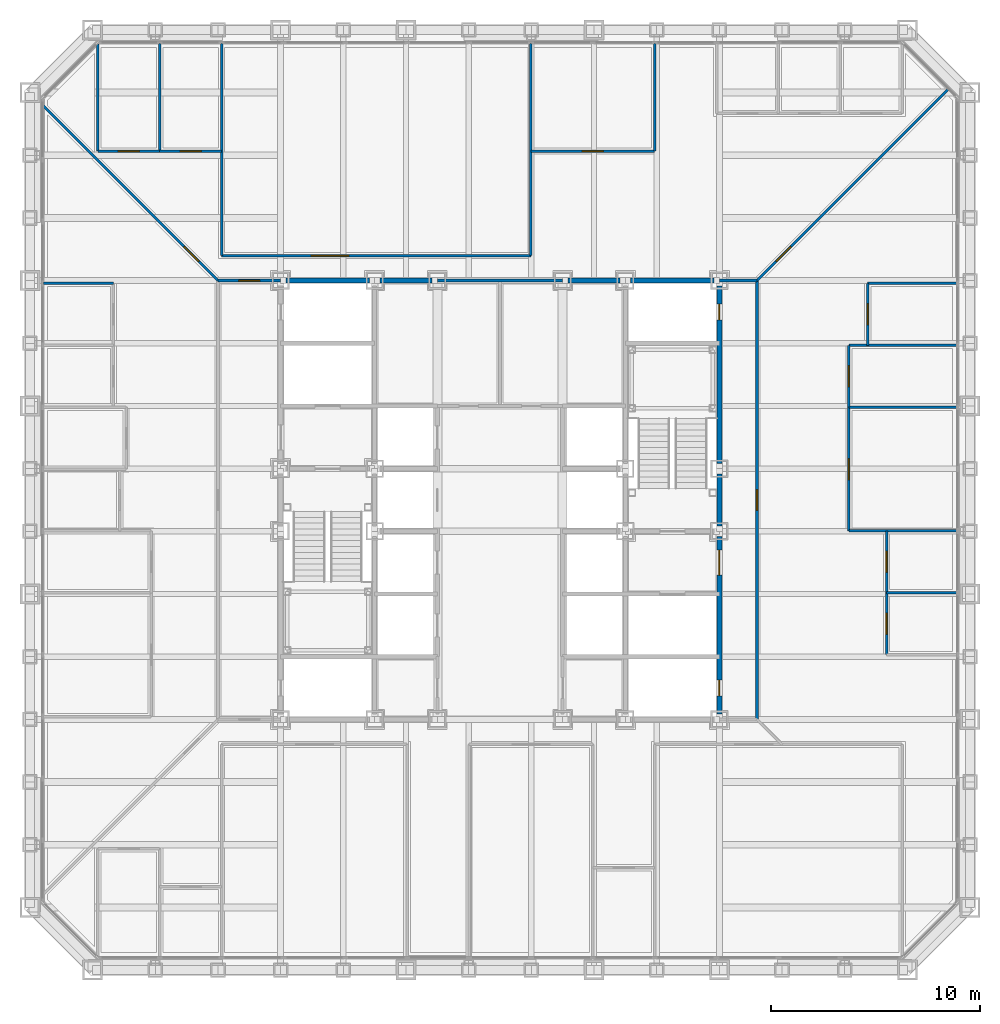
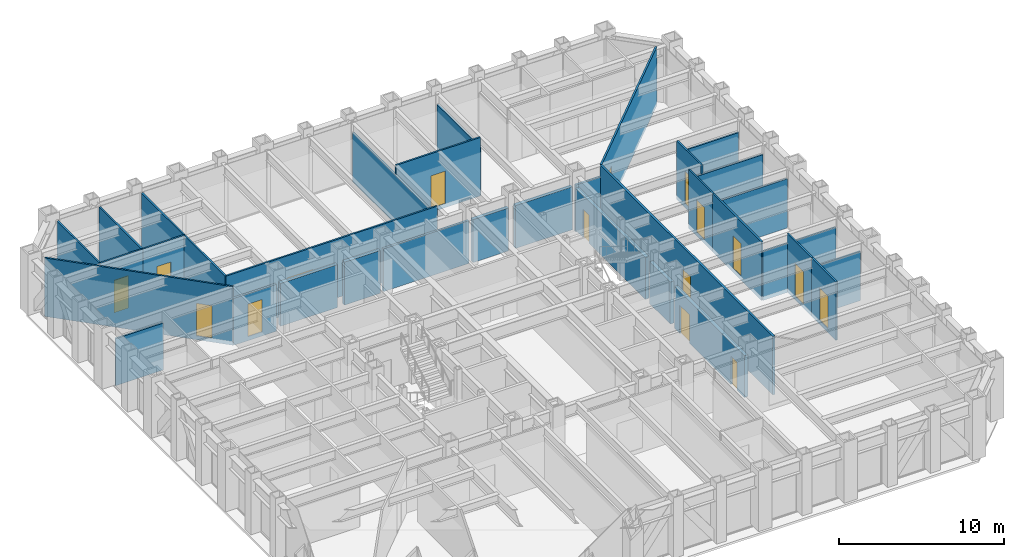
# One storey, part 10 of 17: 33 walls, 16 doors, 16 openings.
"""IFC4 building model written with IfcOpenShell, lengths in metres."""

import ifcopenshell
import ifcopenshell.guid

model = None  # the IFC model being written
_history = None  # IfcOwnerHistory: only IFC2X3 demands one
_inside = {}  # id of a spatial element -> (the spatial element, [elements in it])
_under = {}  # id of a project, library or spatial element -> (it, [spatial elements below it])
_declared = {}  # id of a project -> (the project, [libraries it declares])
_typed = {}  # id of a type object -> (the type object, [elements of that type])
_made_of = {}  # id of a material, layer set ... -> (it, [elements and type objects made of it])


def new_model(schema):
    """Start an empty IFC model of exactly this schema.

    Asked for "IFC4X3", IfcOpenShell would pick the latest addendum, in which some entities
    have other attributes; the version numbers below select the first issue.
    IFC2X3 requires an IfcOwnerHistory on every rooted entity: one is made here for all.
    """
    global model, _history
    if schema == "IFC4X3":
        model = ifcopenshell.file(schema_version=(4, 3, 0, 0))
    else:
        model = ifcopenshell.file(schema=schema)
    _inside.clear()
    _under.clear()
    _declared.clear()
    _typed.clear()
    _made_of.clear()
    _history = None
    if model.schema == "IFC2X3":
        org = make("IfcOrganization", Name="unknown")
        user = make(
            "IfcPersonAndOrganization",
            ThePerson=make("IfcPerson", FamilyName="unknown"),
            TheOrganization=org,
        )
        app = make(
            "IfcApplication",
            ApplicationDeveloper=org,
            Version="unknown",
            ApplicationFullName="unknown",
            ApplicationIdentifier="unknown",
        )
        _history = make(
            "IfcOwnerHistory",
            OwningUser=user,
            OwningApplication=app,
            ChangeAction="ADDED",
            CreationDate=0,
        )
    return model


def make(cls, **values):
    """One entity of the class cls with the attributes given. An attribute that is None is left unset."""
    return model.create_entity(
        cls, **{name: value for name, value in values.items() if value is not None}
    )


def rooted(cls, **values):
    """An entity with a GlobalId (a new one), such as an element, a storey or a relation."""
    return make(cls, GlobalId=ifcopenshell.guid.new(), OwnerHistory=_history, **values)


def si_unit(unit_type, name, prefix=None):
    """IfcSIUnit, for example si_unit("LENGTHUNIT", "METRE", prefix="MILLI")."""
    return make("IfcSIUnit", UnitType=unit_type, Prefix=prefix, Name=name)


def assignment(units):
    """IfcUnitAssignment: the units of a project."""
    return None if units is None else make("IfcUnitAssignment", Units=units)


def point(xyz):
    """IfcCartesianPoint."""
    return None if xyz is None else make("IfcCartesianPoint", Coordinates=xyz)


def direction(xyz):
    """IfcDirection."""
    return None if xyz is None else make("IfcDirection", DirectionRatios=xyz)


def frame(location, z_axis=None, x_axis=None):
    """IfcAxis2Placement3D, a coordinate frame: its origin and axes. An axis left out is left unset."""
    return make(
        "IfcAxis2Placement3D",
        Location=point(location),
        Axis=direction(z_axis),
        RefDirection=direction(x_axis),
    )


def frame_2d(location, x_axis=None):
    """IfcAxis2Placement2D, a coordinate frame in the plane: its origin and x axis."""
    return make(
        "IfcAxis2Placement2D", Location=point(location), RefDirection=direction(x_axis)
    )


def origin():
    """The frame at (0, 0, 0) with its axes left unset."""
    return frame((0.0, 0.0, 0.0))


def place(relative_to, where):
    """IfcLocalPlacement: puts the frame where relative to a parent placement (None: the world)."""
    return make(
        "IfcLocalPlacement", PlacementRelTo=relative_to, RelativePlacement=where
    )


def context(
    kind, dimensions, precision=None, world=None, true_north=None, identifier=None
):
    """IfcGeometricRepresentationContext, for example the 3D "Model" context."""
    return make(
        "IfcGeometricRepresentationContext",
        ContextIdentifier=identifier,
        ContextType=kind,
        CoordinateSpaceDimension=dimensions,
        Precision=precision,
        WorldCoordinateSystem=world,
        TrueNorth=true_north,
    )


def subcontext(parent, identifier, kind, view, scale=None):
    """IfcGeometricRepresentationSubContext, for example "Body" below "Model"."""
    return make(
        "IfcGeometricRepresentationSubContext",
        ContextIdentifier=identifier,
        ContextType=kind,
        ParentContext=parent,
        TargetScale=scale,
        TargetView=view,
    )


def project(units=None, contexts=None):
    """IfcProject with its units and contexts."""
    return rooted(
        "IfcProject",
        Name="project",
        RepresentationContexts=contexts,
        UnitsInContext=assignment(units),
    )


def spatial(cls, under=None, at=None, **own):
    """A site, building, storey or space (cls), placed at a placement, below another one or the project."""
    s = rooted(cls, ObjectPlacement=at, **own)
    if under is not None:
        _under.setdefault(under.id(), (under, []))[1].append(s)
    return s


def profile(cls, at=None, kind="AREA", **sizes):
    """A parametric profile (cls). Its sizes go by their IFC names, for example OverallWidth=200.0."""
    return make(cls, ProfileType=kind, Position=at, **sizes)


def rectangle(**sizes):
    """IfcRectangleProfileDef."""
    return profile("IfcRectangleProfileDef", **sizes)


def extrude(swept, where, along, depth):
    """IfcExtrudedAreaSolid: the profile swept, set in the frame where, extruded along a direction by depth."""
    return make(
        "IfcExtrudedAreaSolid",
        SweptArea=swept,
        Position=where,
        ExtrudedDirection=direction(along),
        Depth=depth,
    )


def shape(context_of_items, identifier, shape_type, items):
    """IfcShapeRepresentation: the items that make up one representation, for example the "Body"."""
    return make(
        "IfcShapeRepresentation",
        ContextOfItems=context_of_items,
        RepresentationIdentifier=identifier,
        RepresentationType=shape_type,
        Items=items,
    )


def material(Name=None, Category=None):
    """IfcMaterial."""
    return make("IfcMaterial", Name=Name, Category=Category)


def layer(
    of_material, thickness, ventilated=None, Name=None, Category=None, Priority=None
):
    """IfcMaterialLayer: one layer of a wall or slab, of a material (None: an air gap)."""
    return make(
        "IfcMaterialLayer",
        Material=of_material,
        LayerThickness=thickness,
        IsVentilated=ventilated,
        Name=Name,
        Category=Category,
        Priority=Priority,
    )


def layer_set(layers, Name=None):
    """IfcMaterialLayerSet."""
    return make("IfcMaterialLayerSet", MaterialLayers=layers, LayerSetName=Name)


def made_of(thing, what):
    """Note that an element or type object is made of a material, layer set ...; save() writes the relation."""
    if what is not None:
        _made_of.setdefault(what.id(), (what, []))[1].append(thing)
    return thing


def type_object(cls, material=None, **own):
    """A type object (cls), such as IfcWallType, which elements share."""
    return made_of(rooted(cls, **own), material)


def element(
    cls,
    number,
    at=None,
    inside=None,
    cuts=None,
    type_object=None,
    material=None,
    context=None,
    identifier="Body",
    shape_type=None,
    held_by="IfcProductDefinitionShape",
    body=None,
    shapes=None,
    **own,
):
    """One element of the class cls, such as IfcWall. Its Tag is "e" and its number.

    at: its placement. inside: the storey or other place that contains it. cuts: it is an
    opening in that element (IfcRelVoidsElement). A single representation is given by context,
    identifier, shape_type and body (its items); several are given by shapes. held_by: the class
    of the entity that holds the representations. save() writes the other relations.
    """
    e = rooted(cls, Tag="e%d" % number, ObjectPlacement=at, **own)
    if body is not None:
        shapes = [shape(context, identifier, shape_type, body)]
    if shapes is not None:
        e.Representation = make(held_by, Representations=shapes)
    if inside is not None:
        _inside.setdefault(inside.id(), (inside, []))[1].append(e)
    if cuts is not None:
        rooted(
            "IfcRelVoidsElement", RelatingBuildingElement=cuts, RelatedOpeningElement=e
        )
    if type_object is not None:
        _typed.setdefault(type_object.id(), (type_object, []))[1].append(e)
    return made_of(e, material)


def fill(opening, filler):
    """IfcRelFillsElement: the door or window that sits in an opening."""
    return rooted(
        "IfcRelFillsElement",
        RelatingOpeningElement=opening,
        RelatedBuildingElement=filler,
    )


def aggregate(whole, parts):
    """IfcRelAggregates: a whole, such as a stair, and the parts it consists of."""
    return rooted("IfcRelAggregates", RelatingObject=whole, RelatedObjects=parts)


def save(model, path):
    """Write the relations noted so far, then the file.

    IfcRelAggregates (storeys below a building ...), IfcRelContainedInSpatialStructure (elements
    in a storey), IfcRelDefinesByType, IfcRelAssociatesMaterial and IfcRelDeclares: one each for
    every whole, place, type object, material and project.
    """
    for whole, parts in _under.values():
        aggregate(whole, parts)
    for where, things in _inside.values():
        rooted(
            "IfcRelContainedInSpatialStructure",
            RelatedElements=things,
            RelatingStructure=where,
        )
    for kind, things in _typed.values():
        rooted("IfcRelDefinesByType", RelatedObjects=things, RelatingType=kind)
    for what, things in _made_of.values():
        rooted("IfcRelAssociatesMaterial", RelatedObjects=things, RelatingMaterial=what)
    for by, libraries in _declared.values():
        rooted("IfcRelDeclares", RelatingContext=by, RelatedDefinitions=libraries)
    model.write(path)


model = new_model("IFC4")

# Units and contexts
model_context = context("Model", 3, precision=1e-05, world=origin(), true_north=direction((0.0, 1.0)))
body_context = subcontext(model_context, "Body", "Model", "MODEL_VIEW")
ifc_project = project(units=[si_unit("LENGTHUNIT", "METRE"), si_unit("AREAUNIT", "SQUARE_METRE"), si_unit("VOLUMEUNIT", "CUBIC_METRE"), si_unit("PLANEANGLEUNIT", "RADIAN"), si_unit("MASSUNIT", "GRAM", prefix="KILO")], contexts=[model_context])

# Site, building, storey
site_placement = place(None, origin())
site = spatial("IfcSite", under=ifc_project, at=site_placement, CompositionType="ELEMENT")
building_placement = place(site_placement, origin())
building = spatial("IfcBuilding", under=site, at=building_placement, Name="Chuquiago Exchange Tower", CompositionType="ELEMENT")
storey_placement = place(building_placement, frame((0.0, 0.0, 69.300048828125)))
storey = spatial("IfcBuildingStorey", under=building, at=storey_placement, Name="L14", CompositionType="ELEMENT", Elevation=69.300048828125)

# Walls
ifc_material_1 = material(Name="Concrete masonry, fully grouted", Category="masonry")
ifc_layer_1 = layer(ifc_material_1, 0.25)
ifc_layer_set_1 = layer_set([ifc_layer_1], Name="W1 core wall 250")
wall_type_1 = type_object("IfcWallType", Name="W1 core wall 250", PredefinedType="SOLIDWALL", material=ifc_layer_set_1)
wall_1_placement = place(storey_placement, frame((12.25, 33.0, 0.0), z_axis=(0.0, 0.0, 1.0), x_axis=(1.0, 0.0, 0.0)))
element("IfcWall", 1, at=wall_1_placement, inside=storey, type_object=wall_type_1, Name="CW-L14-11-0", PredefinedType="SOLIDWALL", context=body_context, shape_type="SweptSolid", body=[
    extrude(rectangle(XDim=4.0, YDim=0.25, at=frame_2d((2.0, 0.0))), origin(), (0.0, 0.0, 1.0), 3.181396484375),
])
for number, where, z_axis, x_axis, name in (
    (2, (16.75, 33.0, 0.0), (0.0, 0.0, 1.0), (1.0, 0.0, 0.0), "CW-L14-11-1"),
    (3, (25.75, 33.0, 0.0), (0.0, 0.0, 1.0), (1.0, 0.0, 0.0), "CW-L14-12-0"),
):
    element("IfcWall", number, at=place(storey_placement, frame(where, z_axis=z_axis, x_axis=x_axis)), inside=storey, type_object=wall_type_1, Name=name, PredefinedType="SOLIDWALL", context=body_context, shape_type="SweptSolid", body=[
        extrude(rectangle(XDim=2.5, YDim=0.25, at=frame_2d((1.25, 0.0))), origin(), (0.0, 0.0, 1.0), 3.181396484375),
    ])
wall_2_placement = place(storey_placement, frame((28.75, 33.0, 0.0), z_axis=(0.0, 0.0, 1.0), x_axis=(1.0, 0.0, 0.0)))
element("IfcWall", 4, at=wall_2_placement, inside=storey, type_object=wall_type_1, Name="CW-L14-12-1", PredefinedType="SOLIDWALL", context=body_context, shape_type="SweptSolid", body=[
    extrude(rectangle(XDim=4.0, YDim=0.25, at=frame_2d((2.0, 0.0))), origin(), (0.0, 0.0, 1.0), 3.181396484375),
])

# Wall, openings, doors
wall_3_placement = place(storey_placement, frame((33.0, 12.25, 0.0), z_axis=(0.0, 0.0, 1.0), x_axis=(0.0, 1.0, 0.0)))
wall_3 = element("IfcWall", 5, at=wall_3_placement, inside=storey, type_object=wall_type_1, Name="CW-L14-25-0", PredefinedType="SOLIDWALL", context=body_context, shape_type="SweptSolid", body=[
    extrude(rectangle(XDim=8.5, YDim=0.25, at=frame_2d((4.25, 0.0))), origin(), (0.0, 0.0, 1.0), 3.11279296875),
])
opening_1_placement = place(wall_3_placement, frame((6.64990234375, 0.0, 0.0)))
opening_1 = element("IfcOpeningElement", 6, at=opening_1_placement, cuts=wall_3, Name="Opening L14-004", PredefinedType="OPENING", context=body_context, shape_type="SweptSolid", body=[
    extrude(rectangle(XDim=1.199951171875, YDim=2.10009765625, at=frame_2d((0.60009765625, 1.050048828125))), frame((0.0, 0.135009765625, 0.0), z_axis=(0.0, -1.0, 0.0), x_axis=(1.0, 0.0, 0.0)), (0.0, 0.0, 1.0), 0.27001953125),
])
opening_2_placement = place(wall_3_placement, frame((0.875, 0.0, 0.0)))
opening_2 = element("IfcOpeningElement", 7, at=opening_2_placement, cuts=wall_3, Name="Opening L14-009", PredefinedType="OPENING", context=body_context, shape_type="SweptSolid", body=[
    extrude(rectangle(XDim=0.75, YDim=2.10009765625, at=frame_2d((0.375, 1.050048828125))), frame((0.0, 0.135009765625, 0.0), z_axis=(0.0, -1.0, 0.0), x_axis=(1.0, 0.0, 0.0)), (0.0, 0.0, 1.0), 0.27001953125),
])
ifc_material_2 = material(Name="Steel door, painted", Category="steel")
door_type_1 = type_object("IfcDoorType", Name="D5 firefighting lobby door 1200x2100", OperationType="SINGLE_SWING_LEFT", PredefinedType="DOOR", material=ifc_material_2)
door_1_placement = place(opening_1_placement, origin())
door_1 = element("IfcDoor", 8, at=door_1_placement, inside=storey, type_object=door_type_1, Name="Firefighting lobby 2 door", OperationType="SINGLE_SWING_RIGHT", OverallHeight=2.10009765625, OverallWidth=1.199951171875, PredefinedType="DOOR", context=body_context, shape_type="SweptSolid", body=[
    extrude(rectangle(XDim=1.199951171875, YDim=2.10009765625, at=frame_2d((0.60009765625, 1.050048828125))), frame((0.0, 0.02490234375, 0.0), z_axis=(0.0, -1.0, 0.0), x_axis=(1.0, 0.0, 0.0)), (0.0, 0.0, 1.0), 0.050048828125),
])
fill(opening_1, door_1)
ifc_material_3 = material(Name="Steel door, painted", Category="steel")
door_type_2 = type_object("IfcDoorType", Name="D6 riser access door 750x2100", OperationType="SINGLE_SWING_LEFT", PredefinedType="DOOR", material=ifc_material_3)
door_2_placement = place(opening_2_placement, frame((0.75, 0.0, 0.0), z_axis=(0.0, 0.0, 1.0), x_axis=(-1.0, 0.0, 0.0)))
door_2 = element("IfcDoor", 9, at=door_2_placement, inside=storey, type_object=door_type_2, Name="Riser RE1 door", OperationType="SINGLE_SWING_RIGHT", OverallHeight=2.10009765625, OverallWidth=0.75, PredefinedType="DOOR", context=body_context, shape_type="SweptSolid", body=[
    extrude(rectangle(XDim=0.75, YDim=2.10009765625, at=frame_2d((0.375, 1.050048828125))), frame((0.0, 0.02490234375, 0.0), z_axis=(0.0, -1.0, 0.0), x_axis=(1.0, 0.0, 0.0)), (0.0, 0.0, 1.0), 0.050048828125),
])
fill(opening_2, door_2)

# Wall
wall_4_placement = place(storey_placement, frame((33.0, 21.25, 0.0), z_axis=(0.0, 0.0, 1.0), x_axis=(0.0, 1.0, 0.0)))
element("IfcWall", 10, at=wall_4_placement, inside=storey, type_object=wall_type_1, Name="CW-L14-25-1", PredefinedType="SOLIDWALL", context=body_context, shape_type="SweptSolid", body=[
    extrude(rectangle(XDim=2.5, YDim=0.25, at=frame_2d((1.25, 0.0))), origin(), (0.0, 0.0, 1.0), 3.11279296875),
])

# Wall, opening, door
wall_5_placement = place(storey_placement, frame((33.0, 24.25, 0.0), z_axis=(0.0, 0.0, 1.0), x_axis=(0.0, 1.0, 0.0)))
wall_5 = element("IfcWall", 11, at=wall_5_placement, inside=storey, type_object=wall_type_1, Name="CW-L14-25-2", PredefinedType="SOLIDWALL", context=body_context, shape_type="SweptSolid", body=[
    extrude(rectangle(XDim=8.5, YDim=0.25, at=frame_2d((4.25, 0.0))), origin(), (0.0, 0.0, 1.0), 3.11279296875),
])
opening_3_placement = place(wall_5_placement, frame((6.875, 0.0, 0.0)))
opening_3 = element("IfcOpeningElement", 12, at=opening_3_placement, cuts=wall_5, Name="Opening L14-010", PredefinedType="OPENING", context=body_context, shape_type="SweptSolid", body=[
    extrude(rectangle(XDim=0.75, YDim=2.10009765625, at=frame_2d((0.375, 1.050048828125))), frame((0.0, 0.135009765625, 0.0), z_axis=(0.0, -1.0, 0.0), x_axis=(1.0, 0.0, 0.0)), (0.0, 0.0, 1.0), 0.27001953125),
])
door_3_placement = place(opening_3_placement, frame((0.75, 0.0, 0.0), z_axis=(0.0, 0.0, 1.0), x_axis=(-1.0, 0.0, 0.0)))
door_3 = element("IfcDoor", 13, at=door_3_placement, inside=storey, type_object=door_type_2, Name="Riser RE2 door", OperationType="SINGLE_SWING_LEFT", OverallHeight=2.10009765625, OverallWidth=0.75, PredefinedType="DOOR", context=body_context, shape_type="SweptSolid", body=[
    extrude(rectangle(XDim=0.75, YDim=2.10009765625, at=frame_2d((0.375, 1.050048828125))), frame((0.0, 0.02490234375, 0.0), z_axis=(0.0, -1.0, 0.0), x_axis=(1.0, 0.0, 0.0)), (0.0, 0.0, 1.0), 0.050048828125),
])
fill(opening_3, door_3)

ifc_material_4 = material(Name="Gypsum board on steel studs, acoustic insulation", Category="steel")
ifc_layer_2 = layer(ifc_material_4, 0.14990234375)
ifc_layer_set_2 = layer_set([ifc_layer_2], Name="W11 corridor wall 150")
wall_type_2 = type_object("IfcWallType", Name="W11 corridor wall 150", PredefinedType="PARTITIONING", material=ifc_layer_set_2)
wall_6_placement = place(storey_placement, frame((9.0, 33.0, -0.300048828125), z_axis=(0.0, 0.0, 1.0), x_axis=(1.0, 0.0, 0.0)))
wall_6 = element("IfcWall", 14, at=wall_6_placement, inside=storey, type_object=wall_type_2, Name="PW-L14-GWN0", PredefinedType="PARTITIONING", context=body_context, shape_type="SweptSolid", body=[
    extrude(rectangle(XDim=3.0, YDim=0.14990234375, at=frame_2d((1.5, 0.0))), origin(), (0.0, 0.0, 1.0), 3.4814453125),
])
opening_4_placement = place(wall_6_placement, frame((1.0, 0.0, 0.300048828125)))
opening_4 = element("IfcOpeningElement", 15, at=opening_4_placement, cuts=wall_6, Name="Opening L14-044", PredefinedType="OPENING", context=body_context, shape_type="SweptSolid", body=[
    extrude(rectangle(XDim=1.0, YDim=2.39990234375, at=frame_2d((0.5, 1.199951171875))), frame((0.0, 0.0849609375, 0.0), z_axis=(0.0, -1.0, 0.0), x_axis=(1.0, 0.0, 0.0)), (0.0, 0.0, 1.0), 0.169921875),
])
ifc_material_5 = material(Name="Timber door, laminate faced", Category="wood")
door_type_3 = type_object("IfcDoorType", Name="D9 room door 1000x2400", OperationType="SINGLE_SWING_LEFT", PredefinedType="DOOR", material=ifc_material_5)
door_4_placement = place(opening_4_placement, frame((1.0, 0.0, 0.0), z_axis=(0.0, 0.0, 1.0), x_axis=(-1.0, 0.0, 0.0)))
door_4 = element("IfcDoor", 16, at=door_4_placement, inside=storey, type_object=door_type_3, Name="Team area door", OperationType="SINGLE_SWING_LEFT", OverallHeight=2.39990234375, OverallWidth=1.0, PredefinedType="DOOR", context=body_context, shape_type="SweptSolid", body=[
    extrude(rectangle(XDim=1.0, YDim=2.39990234375, at=frame_2d((0.5, 1.199951171875))), frame((0.0, 0.02490234375, 0.0), z_axis=(0.0, -1.0, 0.0), x_axis=(1.0, 0.0, 0.0)), (0.0, 0.0, 1.0), 0.050048828125),
])
fill(opening_4, door_4)

wall_7_placement = place(storey_placement, frame((34.800048828125, 12.0, -0.300048828125), z_axis=(0.0, 0.0, 1.0), x_axis=(0.0, 1.0, 0.0)))
wall_7 = element("IfcWall", 17, at=wall_7_placement, inside=storey, type_object=wall_type_2, Name="PW-L14-GE0", PredefinedType="PARTITIONING", context=body_context, shape_type="SweptSolid", body=[
    extrude(rectangle(XDim=21.0, YDim=0.14990234375, at=frame_2d((10.5, 0.0))), origin(), (0.0, 0.0, 1.0), 4.340087890625),
])
opening_5_placement = place(wall_7_placement, frame((10.0, 0.0, 0.300048828125)))
opening_5 = element("IfcOpeningElement", 18, at=opening_5_placement, cuts=wall_7, Name="Opening L14-046", PredefinedType="OPENING", context=body_context, shape_type="SweptSolid", body=[
    extrude(rectangle(XDim=1.0, YDim=2.39990234375, at=frame_2d((0.5, 1.199951171875))), frame((0.0, 0.0849609375, 0.0), z_axis=(0.0, -1.0, 0.0), x_axis=(1.0, 0.0, 0.0)), (0.0, 0.0, 1.0), 0.169921875),
])
door_5_placement = place(opening_5_placement, origin())
door_5 = element("IfcDoor", 19, at=door_5_placement, inside=storey, type_object=door_type_3, Name="Team area door", OperationType="SINGLE_SWING_LEFT", OverallHeight=2.39990234375, OverallWidth=1.0, PredefinedType="DOOR", context=body_context, shape_type="SweptSolid", body=[
    extrude(rectangle(XDim=1.0, YDim=2.39990234375, at=frame_2d((0.5, 1.199951171875))), frame((0.0, 0.02490234375, 0.0), z_axis=(0.0, -1.0, 0.0), x_axis=(1.0, 0.0, 0.0)), (0.0, 0.0, 1.0), 0.050048828125),
])
fill(opening_5, door_5)

# Walls
wall_8_placement = place(storey_placement, frame((33.0, 33.0, -0.300048828125), z_axis=(0.0, 0.0, 1.0), x_axis=(1.0, 0.0, 0.0)))
element("IfcWall", 20, at=wall_8_placement, inside=storey, type_object=wall_type_2, Name="PW-L14-GEN0", PredefinedType="PARTITIONING", context=body_context, shape_type="SweptSolid", body=[
    extrude(rectangle(XDim=1.800048828125, YDim=0.14990234375, at=frame_2d((0.89990234375, 0.0))), origin(), (0.0, 0.0, 1.0), 3.4814453125),
])
ifc_material_6 = material(Name="Gypsum board on steel studs", Category="steel")
ifc_layer_3 = layer(ifc_material_6, 0.14990234375)
ifc_layer_set_3 = layer_set([ifc_layer_3], Name="W3 core partition 150")
wall_type_3 = type_object("IfcWallType", Name="W3 core partition 150", PredefinedType="PARTITIONING", material=ifc_layer_set_3)
wall_9_placement = place(storey_placement, frame((19.5, 33.0, 0.0), z_axis=(0.0, 0.0, 1.0), x_axis=(1.0, 0.0, 0.0)))
element("IfcWall", 21, at=wall_9_placement, inside=storey, type_object=wall_type_3, Name="CW-L14-TB", PredefinedType="PARTITIONING", context=body_context, shape_type="SweptSolid", body=[
    extrude(rectangle(XDim=6.0, YDim=0.14990234375, at=frame_2d((3.0, 0.0))), origin(), (0.0, 0.0, 1.0), 3.181396484375),
])
ifc_material_7 = material(Name="Gypsum board on steel studs", Category="steel")
ifc_layer_4 = layer(ifc_material_7, 0.1201171875)
ifc_layer_set_4 = layer_set([ifc_layer_4], Name="W4 partition 120")
wall_type_4 = type_object("IfcWallType", Name="W4 partition 120", PredefinedType="PARTITIONING", material=ifc_layer_set_4)
wall_10_placement = place(storey_placement, frame((44.342529296875, 18.057373046875, -0.300048828125), z_axis=(0.0, 0.0, 1.0), x_axis=(-1.0, 0.0, 0.0)))
element("IfcWall", 22, at=wall_10_placement, inside=storey, type_object=wall_type_4, Name="PW-L14-E01806", PredefinedType="PARTITIONING", context=body_context, shape_type="SweptSolid", body=[
    extrude(rectangle(XDim=3.342529296875, YDim=0.1201171875, at=frame_2d((1.67138671875, 0.0))), origin(), (0.0, 0.0, 1.0), 3.646484375),
])
for number, where, z_axis, x_axis, name in (
    (23, (44.342529296875, 21.01904296875, -0.300048828125), (0.0, 0.0, 1.0), (-1.0, 0.0, 0.0), "PW-L14-E02102"),
    (24, (44.342529296875, 26.942626953125, -0.300048828125), (0.0, 0.0, 1.0), (-1.0, 0.0, 0.0), "PW-L14-E02694"),
    (25, (44.342529296875, 29.904296875, -0.300048828125), (0.0, 0.0, 1.0), (-1.0, 0.0, 0.0), "PW-L14-E02990"),
):
    element("IfcWall", number, at=place(storey_placement, frame(where, z_axis=z_axis, x_axis=x_axis)), inside=storey, type_object=wall_type_4, Name=name, PredefinedType="PARTITIONING", context=body_context, shape_type="SweptSolid", body=[
        extrude(rectangle(XDim=5.142578125, YDim=0.1201171875, at=frame_2d((2.5712890625, 0.0))), origin(), (0.0, 0.0, 1.0), 3.646484375),
    ])
wall_11_placement = place(storey_placement, frame((44.342529296875, 32.8662109375, -0.300048828125), z_axis=(0.0, 0.0, 1.0), x_axis=(-1.0, 0.0, 0.0)))
element("IfcWall", 26, at=wall_11_placement, inside=storey, type_object=wall_type_4, Name="PW-L14-E03287", PredefinedType="PARTITIONING", context=body_context, shape_type="SweptSolid", body=[
    extrude(rectangle(XDim=4.242431640625, YDim=0.1201171875, at=frame_2d((2.12109375, 0.0))), origin(), (0.0, 0.0, 1.0), 3.4814453125),
])

# Wall, opening, door
wall_12_placement = place(storey_placement, frame((41.0, 15.095703125, -0.300048828125), z_axis=(0.0, 0.0, 1.0), x_axis=(0.0, 1.0, 0.0)))
wall_12 = element("IfcWall", 27, at=wall_12_placement, inside=storey, type_object=wall_type_4, Name="PW-L14-EF01510", PredefinedType="PARTITIONING", context=body_context, shape_type="SweptSolid", body=[
    extrude(rectangle(XDim=2.961669921875, YDim=0.1201171875, at=frame_2d((1.48095703125, 0.0))), origin(), (0.0, 0.0, 1.0), 4.340087890625),
])
opening_6_placement = place(wall_12_placement, frame((0.98095703125, 0.0, 0.300048828125)))
opening_6 = element("IfcOpeningElement", 28, at=opening_6_placement, cuts=wall_12, Name="Opening L14-025", PredefinedType="OPENING", context=body_context, shape_type="SweptSolid", body=[
    extrude(rectangle(XDim=1.0, YDim=2.39990234375, at=frame_2d((0.5, 1.199951171875))), frame((0.0, 0.070068359375, 0.0), z_axis=(0.0, -1.0, 0.0), x_axis=(1.0, 0.0, 0.0)), (0.0, 0.0, 1.0), 0.14013671875),
])
ifc_material_8 = material(Name="Timber frame door, full height glazed panel", Category="wood")
door_type_4 = type_object("IfcDoorType", Name="D14 glazed meeting room door 1000x2400", OperationType="SINGLE_SWING_LEFT", PredefinedType="DOOR", material=ifc_material_8)
door_6_placement = place(opening_6_placement, frame((1.0, 0.0, 0.0), z_axis=(0.0, 0.0, 1.0), x_axis=(-1.0, 0.0, 0.0)))
door_6 = element("IfcDoor", 29, at=door_6_placement, inside=storey, type_object=door_type_4, Name="Focus room door", OperationType="SINGLE_SWING_RIGHT", OverallHeight=2.39990234375, OverallWidth=1.0, PredefinedType="DOOR", context=body_context, shape_type="SweptSolid", body=[
    extrude(rectangle(XDim=1.0, YDim=2.39990234375, at=frame_2d((0.5, 1.199951171875))), frame((0.0, 0.02490234375, 0.0), z_axis=(0.0, -1.0, 0.0), x_axis=(1.0, 0.0, 0.0)), (0.0, 0.0, 1.0), 0.050048828125),
])
fill(opening_6, door_6)

wall_13_placement = place(storey_placement, frame((41.0, 18.057373046875, -0.300048828125), z_axis=(0.0, 0.0, 1.0), x_axis=(0.0, 1.0, 0.0)))
wall_13 = element("IfcWall", 30, at=wall_13_placement, inside=storey, type_object=wall_type_4, Name="PW-L14-EF01806", PredefinedType="PARTITIONING", context=body_context, shape_type="SweptSolid", body=[
    extrude(rectangle(XDim=2.961669921875, YDim=0.1201171875, at=frame_2d((1.48095703125, 0.0))), origin(), (0.0, 0.0, 1.0), 4.340087890625),
])
opening_7_placement = place(wall_13_placement, frame((0.98095703125, 0.0, 0.300048828125)))
opening_7 = element("IfcOpeningElement", 31, at=opening_7_placement, cuts=wall_13, Name="Opening L14-026", PredefinedType="OPENING", context=body_context, shape_type="SweptSolid", body=[
    extrude(rectangle(XDim=1.0, YDim=2.39990234375, at=frame_2d((0.5, 1.199951171875))), frame((0.0, 0.070068359375, 0.0), z_axis=(0.0, -1.0, 0.0), x_axis=(1.0, 0.0, 0.0)), (0.0, 0.0, 1.0), 0.14013671875),
])
door_7_placement = place(opening_7_placement, frame((1.0, 0.0, 0.0), z_axis=(0.0, 0.0, 1.0), x_axis=(-1.0, 0.0, 0.0)))
door_7 = element("IfcDoor", 32, at=door_7_placement, inside=storey, type_object=door_type_4, Name="Focus room door", OperationType="SINGLE_SWING_LEFT", OverallHeight=2.39990234375, OverallWidth=1.0, PredefinedType="DOOR", context=body_context, shape_type="SweptSolid", body=[
    extrude(rectangle(XDim=1.0, YDim=2.39990234375, at=frame_2d((0.5, 1.199951171875))), frame((0.0, 0.02490234375, 0.0), z_axis=(0.0, -1.0, 0.0), x_axis=(1.0, 0.0, 0.0)), (0.0, 0.0, 1.0), 0.050048828125),
])
fill(opening_7, door_7)

wall_14_placement = place(storey_placement, frame((39.199951171875, 21.01904296875, -0.300048828125), z_axis=(0.0, 0.0, 1.0), x_axis=(0.0, 1.0, 0.0)))
wall_14 = element("IfcWall", 33, at=wall_14_placement, inside=storey, type_object=wall_type_4, Name="PW-L14-EF02102", PredefinedType="PARTITIONING", context=body_context, shape_type="SweptSolid", body=[
    extrude(rectangle(XDim=5.923583984375, YDim=0.1201171875, at=frame_2d((2.9619140625, 0.0))), origin(), (0.0, 0.0, 1.0), 4.340087890625),
])
opening_8_placement = place(wall_14_placement, frame((2.461669921875, 0.0, 0.300048828125)))
opening_8 = element("IfcOpeningElement", 34, at=opening_8_placement, cuts=wall_14, Name="Opening L14-027", PredefinedType="OPENING", context=body_context, shape_type="SweptSolid", body=[
    extrude(rectangle(XDim=1.0, YDim=2.39990234375, at=frame_2d((0.5, 1.199951171875))), frame((0.0, 0.070068359375, 0.0), z_axis=(0.0, -1.0, 0.0), x_axis=(1.0, 0.0, 0.0)), (0.0, 0.0, 1.0), 0.14013671875),
])
door_8_placement = place(opening_8_placement, frame((1.0, 0.0, 0.0), z_axis=(0.0, 0.0, 1.0), x_axis=(-1.0, 0.0, 0.0)))
door_8 = element("IfcDoor", 35, at=door_8_placement, inside=storey, type_object=door_type_4, Name="Meeting room door", OperationType="SINGLE_SWING_RIGHT", OverallHeight=2.39990234375, OverallWidth=1.0, PredefinedType="DOOR", context=body_context, shape_type="SweptSolid", body=[
    extrude(rectangle(XDim=1.0, YDim=2.39990234375, at=frame_2d((0.5, 1.199951171875))), frame((0.0, 0.02490234375, 0.0), z_axis=(0.0, -1.0, 0.0), x_axis=(1.0, 0.0, 0.0)), (0.0, 0.0, 1.0), 0.050048828125),
])
fill(opening_8, door_8)

wall_15_placement = place(storey_placement, frame((39.199951171875, 26.942626953125, -0.300048828125), z_axis=(0.0, 0.0, 1.0), x_axis=(0.0, 1.0, 0.0)))
wall_15 = element("IfcWall", 36, at=wall_15_placement, inside=storey, type_object=wall_type_4, Name="PW-L14-EF02694", PredefinedType="PARTITIONING", context=body_context, shape_type="SweptSolid", body=[
    extrude(rectangle(XDim=2.961669921875, YDim=0.1201171875, at=frame_2d((1.48095703125, 0.0))), origin(), (0.0, 0.0, 1.0), 4.340087890625),
])
opening_9_placement = place(wall_15_placement, frame((0.98095703125, 0.0, 0.300048828125)))
opening_9 = element("IfcOpeningElement", 37, at=opening_9_placement, cuts=wall_15, Name="Opening L14-028", PredefinedType="OPENING", context=body_context, shape_type="SweptSolid", body=[
    extrude(rectangle(XDim=1.0, YDim=2.39990234375, at=frame_2d((0.5, 1.199951171875))), frame((0.0, 0.070068359375, 0.0), z_axis=(0.0, -1.0, 0.0), x_axis=(1.0, 0.0, 0.0)), (0.0, 0.0, 1.0), 0.14013671875),
])
door_9_placement = place(opening_9_placement, frame((1.0, 0.0, 0.0), z_axis=(0.0, 0.0, 1.0), x_axis=(-1.0, 0.0, 0.0)))
door_9 = element("IfcDoor", 38, at=door_9_placement, inside=storey, type_object=door_type_3, Name="Office door", OperationType="SINGLE_SWING_RIGHT", OverallHeight=2.39990234375, OverallWidth=1.0, PredefinedType="DOOR", context=body_context, shape_type="SweptSolid", body=[
    extrude(rectangle(XDim=1.0, YDim=2.39990234375, at=frame_2d((0.5, 1.199951171875))), frame((0.0, 0.02490234375, 0.0), z_axis=(0.0, -1.0, 0.0), x_axis=(1.0, 0.0, 0.0)), (0.0, 0.0, 1.0), 0.050048828125),
])
fill(opening_9, door_9)

wall_16_placement = place(storey_placement, frame((40.10009765625, 29.904296875, -0.300048828125), z_axis=(0.0, 0.0, 1.0), x_axis=(0.0, 1.0, 0.0)))
wall_16 = element("IfcWall", 39, at=wall_16_placement, inside=storey, type_object=wall_type_4, Name="PW-L14-EF02990", PredefinedType="PARTITIONING", context=body_context, shape_type="SweptSolid", body=[
    extrude(rectangle(XDim=2.9619140625, YDim=0.1201171875, at=frame_2d((1.48095703125, 0.0))), origin(), (0.0, 0.0, 1.0), 4.340087890625),
])
opening_10_placement = place(wall_16_placement, frame((0.98095703125, 0.0, 0.300048828125)))
opening_10 = element("IfcOpeningElement", 40, at=opening_10_placement, cuts=wall_16, Name="Opening L14-029", PredefinedType="OPENING", context=body_context, shape_type="SweptSolid", body=[
    extrude(rectangle(XDim=1.0, YDim=2.39990234375, at=frame_2d((0.5, 1.199951171875))), frame((0.0, 0.070068359375, 0.0), z_axis=(0.0, -1.0, 0.0), x_axis=(1.0, 0.0, 0.0)), (0.0, 0.0, 1.0), 0.14013671875),
])
door_10_placement = place(opening_10_placement, frame((1.0, 0.0, 0.0), z_axis=(0.0, 0.0, 1.0), x_axis=(-1.0, 0.0, 0.0)))
door_10 = element("IfcDoor", 41, at=door_10_placement, inside=storey, type_object=door_type_3, Name="Comms room door", OperationType="SINGLE_SWING_RIGHT", OverallHeight=2.39990234375, OverallWidth=1.0, PredefinedType="DOOR", context=body_context, shape_type="SweptSolid", body=[
    extrude(rectangle(XDim=1.0, YDim=2.39990234375, at=frame_2d((0.5, 1.199951171875))), frame((0.0, 0.02490234375, 0.0), z_axis=(0.0, -1.0, 0.0), x_axis=(1.0, 0.0, 0.0)), (0.0, 0.0, 1.0), 0.050048828125),
])
fill(opening_10, door_10)

# Walls
wall_17_placement = place(storey_placement, frame((3.24853515625, 44.333984375, -0.300048828125), z_axis=(0.0, 0.0, 1.0), x_axis=(0.0, -1.0, 0.0)))
element("IfcWall", 42, at=wall_17_placement, inside=storey, type_object=wall_type_4, Name="PW-L14-N00325", PredefinedType="PARTITIONING", context=body_context, shape_type="SweptSolid", body=[
    extrude(rectangle(XDim=5.134033203125, YDim=0.1201171875, at=frame_2d((2.56689453125, 0.0))), origin(), (0.0, 0.0, 1.0), 4.340087890625),
])
wall_18_placement = place(storey_placement, frame((6.210205078125, 44.342529296875, -0.300048828125), z_axis=(0.0, 0.0, 1.0), x_axis=(0.0, -1.0, 0.0)))
element("IfcWall", 43, at=wall_18_placement, inside=storey, type_object=wall_type_4, Name="PW-L14-N00621", PredefinedType="PARTITIONING", context=body_context, shape_type="SweptSolid", body=[
    extrude(rectangle(XDim=5.142578125, YDim=0.1201171875, at=frame_2d((2.5712890625, 0.0))), origin(), (0.0, 0.0, 1.0), 4.340087890625),
])
wall_19_placement = place(storey_placement, frame((9.172119140625, 44.342529296875, -0.300048828125), z_axis=(0.0, 0.0, 1.0), x_axis=(0.0, -1.0, 0.0)))
element("IfcWall", 44, at=wall_19_placement, inside=storey, type_object=wall_type_4, Name="PW-L14-N00917", PredefinedType="PARTITIONING", context=body_context, shape_type="SweptSolid", body=[
    extrude(rectangle(XDim=10.142578125, YDim=0.1201171875, at=frame_2d((5.0712890625, 0.0))), origin(), (0.0, 0.0, 1.0), 4.340087890625),
])
wall_20_placement = place(storey_placement, frame((23.98095703125, 44.342529296875, -0.300048828125), z_axis=(0.0, 0.0, 1.0), x_axis=(0.0, -1.0, 0.0)))
element("IfcWall", 45, at=wall_20_placement, inside=storey, type_object=wall_type_4, Name="PW-L14-N02398", PredefinedType="PARTITIONING", context=body_context, shape_type="SweptSolid", body=[
    extrude(rectangle(XDim=10.142578125, YDim=0.1201171875, at=frame_2d((5.0712890625, 0.0))), origin(), (0.0, 0.0, 1.0), 3.646484375),
])
wall_21_placement = place(storey_placement, frame((29.904296875, 44.342529296875, -0.300048828125), z_axis=(0.0, 0.0, 1.0), x_axis=(0.0, -1.0, 0.0)))
element("IfcWall", 46, at=wall_21_placement, inside=storey, type_object=wall_type_4, Name="PW-L14-N02990", PredefinedType="PARTITIONING", context=body_context, shape_type="SweptSolid", body=[
    extrude(rectangle(XDim=5.142578125, YDim=0.1201171875, at=frame_2d((2.5712890625, 0.0))), origin(), (0.0, 0.0, 1.0), 3.646484375),
])

# Wall, opening, door
wall_22_placement = place(storey_placement, frame((3.24853515625, 39.199951171875, -0.300048828125), z_axis=(0.0, 0.0, 1.0), x_axis=(1.0, 0.0, 0.0)))
wall_22 = element("IfcWall", 47, at=wall_22_placement, inside=storey, type_object=wall_type_4, Name="PW-L14-NF00325", PredefinedType="PARTITIONING", context=body_context, shape_type="SweptSolid", body=[
    extrude(rectangle(XDim=2.961669921875, YDim=0.1201171875, at=frame_2d((1.48095703125, 0.0))), origin(), (0.0, 0.0, 1.0), 4.340087890625),
])
opening_11_placement = place(wall_22_placement, frame((0.98095703125, 0.0, 0.300048828125)))
opening_11 = element("IfcOpeningElement", 48, at=opening_11_placement, cuts=wall_22, Name="Opening L14-030", PredefinedType="OPENING", context=body_context, shape_type="SweptSolid", body=[
    extrude(rectangle(XDim=1.0, YDim=2.39990234375, at=frame_2d((0.5, 1.199951171875))), frame((0.0, 0.070068359375, 0.0), z_axis=(0.0, -1.0, 0.0), x_axis=(1.0, 0.0, 0.0)), (0.0, 0.0, 1.0), 0.14013671875),
])
door_11_placement = place(opening_11_placement, origin())
door_11 = element("IfcDoor", 49, at=door_11_placement, inside=storey, type_object=door_type_3, Name="Office door", OperationType="SINGLE_SWING_LEFT", OverallHeight=2.39990234375, OverallWidth=1.0, PredefinedType="DOOR", context=body_context, shape_type="SweptSolid", body=[
    extrude(rectangle(XDim=1.0, YDim=2.39990234375, at=frame_2d((0.5, 1.199951171875))), frame((0.0, 0.02490234375, 0.0), z_axis=(0.0, -1.0, 0.0), x_axis=(1.0, 0.0, 0.0)), (0.0, 0.0, 1.0), 0.050048828125),
])
fill(opening_11, door_11)

wall_23_placement = place(storey_placement, frame((6.210205078125, 39.199951171875, -0.300048828125), z_axis=(0.0, 0.0, 1.0), x_axis=(1.0, 0.0, 0.0)))
wall_23 = element("IfcWall", 50, at=wall_23_placement, inside=storey, type_object=wall_type_4, Name="PW-L14-NF00621", PredefinedType="PARTITIONING", context=body_context, shape_type="SweptSolid", body=[
    extrude(rectangle(XDim=2.9619140625, YDim=0.1201171875, at=frame_2d((1.48095703125, 0.0))), origin(), (0.0, 0.0, 1.0), 4.340087890625),
])
opening_12_placement = place(wall_23_placement, frame((0.98095703125, 0.0, 0.300048828125)))
opening_12 = element("IfcOpeningElement", 51, at=opening_12_placement, cuts=wall_23, Name="Opening L14-031", PredefinedType="OPENING", context=body_context, shape_type="SweptSolid", body=[
    extrude(rectangle(XDim=1.0, YDim=2.39990234375, at=frame_2d((0.5, 1.199951171875))), frame((0.0, 0.070068359375, 0.0), z_axis=(0.0, -1.0, 0.0), x_axis=(1.0, 0.0, 0.0)), (0.0, 0.0, 1.0), 0.14013671875),
])
door_12_placement = place(opening_12_placement, origin())
door_12 = element("IfcDoor", 52, at=door_12_placement, inside=storey, type_object=door_type_3, Name="Office door", OperationType="SINGLE_SWING_LEFT", OverallHeight=2.39990234375, OverallWidth=1.0, PredefinedType="DOOR", context=body_context, shape_type="SweptSolid", body=[
    extrude(rectangle(XDim=1.0, YDim=2.39990234375, at=frame_2d((0.5, 1.199951171875))), frame((0.0, 0.02490234375, 0.0), z_axis=(0.0, -1.0, 0.0), x_axis=(1.0, 0.0, 0.0)), (0.0, 0.0, 1.0), 0.050048828125),
])
fill(opening_12, door_12)

wall_24_placement = place(storey_placement, frame((9.172119140625, 34.199951171875, -0.300048828125), z_axis=(0.0, 0.0, 1.0), x_axis=(1.0, 0.0, 0.0)))
wall_24 = element("IfcWall", 53, at=wall_24_placement, inside=storey, type_object=wall_type_4, Name="PW-L14-NF00917", PredefinedType="PARTITIONING", context=body_context, shape_type="SweptSolid", body=[
    extrude(rectangle(XDim=14.808837890625, YDim=0.1201171875, at=frame_2d((7.404296875, 0.0))), origin(), (0.0, 0.0, 1.0), 4.340087890625),
])
opening_13_placement = place(wall_24_placement, frame((4.283203125, 0.0, 0.300048828125)))
opening_13 = element("IfcOpeningElement", 54, at=opening_13_placement, cuts=wall_24, Name="Opening L14-032", PredefinedType="OPENING", context=body_context, shape_type="SweptSolid", body=[
    extrude(rectangle(XDim=1.800048828125, YDim=2.39990234375, at=frame_2d((0.89990234375, 1.199951171875))), frame((0.0, 0.070068359375, 0.0), z_axis=(0.0, -1.0, 0.0), x_axis=(1.0, 0.0, 0.0)), (0.0, 0.0, 1.0), 0.14013671875),
])
ifc_material_9 = material(Name="Timber door pair, laminate faced", Category="wood")
door_type_5 = type_object("IfcDoorType", Name="D15 double room door 1800x2400", OperationType="DOUBLE_DOOR_DOUBLE_SWING", PredefinedType="DOOR", material=ifc_material_9)
door_13_placement = place(opening_13_placement, origin())
door_13 = element("IfcDoor", 55, at=door_13_placement, inside=storey, type_object=door_type_5, Name="Trading room door", OperationType="DOUBLE_DOOR_DOUBLE_SWING", OverallHeight=2.39990234375, OverallWidth=1.800048828125, PredefinedType="DOOR", context=body_context, shape_type="SweptSolid", body=[
    extrude(rectangle(XDim=1.800048828125, YDim=2.39990234375, at=frame_2d((0.89990234375, 1.199951171875))), frame((0.0, 0.02490234375, 0.0), z_axis=(0.0, -1.0, 0.0), x_axis=(1.0, 0.0, 0.0)), (0.0, 0.0, 1.0), 0.050048828125),
])
fill(opening_13, door_13)

wall_25_placement = place(storey_placement, frame((23.98095703125, 39.199951171875, -0.300048828125), z_axis=(0.0, 0.0, 1.0), x_axis=(1.0, 0.0, 0.0)))
wall_25 = element("IfcWall", 56, at=wall_25_placement, inside=storey, type_object=wall_type_4, Name="PW-L14-NF02398", PredefinedType="PARTITIONING", context=body_context, shape_type="SweptSolid", body=[
    extrude(rectangle(XDim=5.92333984375, YDim=0.1201171875, at=frame_2d((2.961669921875, 0.0))), origin(), (0.0, 0.0, 1.0), 4.340087890625),
])
opening_14_placement = place(wall_25_placement, frame((2.4619140625, 0.0, 0.300048828125)))
opening_14 = element("IfcOpeningElement", 57, at=opening_14_placement, cuts=wall_25, Name="Opening L14-033", PredefinedType="OPENING", context=body_context, shape_type="SweptSolid", body=[
    extrude(rectangle(XDim=1.0, YDim=2.39990234375, at=frame_2d((0.5, 1.199951171875))), frame((0.0, 0.070068359375, 0.0), z_axis=(0.0, -1.0, 0.0), x_axis=(1.0, 0.0, 0.0)), (0.0, 0.0, 1.0), 0.14013671875),
])
door_14_placement = place(opening_14_placement, origin())
door_14 = element("IfcDoor", 58, at=door_14_placement, inside=storey, type_object=door_type_4, Name="Meeting room door", OperationType="SINGLE_SWING_RIGHT", OverallHeight=2.39990234375, OverallWidth=1.0, PredefinedType="DOOR", context=body_context, shape_type="SweptSolid", body=[
    extrude(rectangle(XDim=1.0, YDim=2.39990234375, at=frame_2d((0.5, 1.199951171875))), frame((0.0, 0.02490234375, 0.0), z_axis=(0.0, -1.0, 0.0), x_axis=(1.0, 0.0, 0.0)), (0.0, 0.0, 1.0), 0.050048828125),
])
fill(opening_14, door_14)

# Wall
wall_26_placement = place(storey_placement, frame((0.657470703125, 32.8662109375, -0.300048828125), z_axis=(0.0, 0.0, 1.0), x_axis=(1.0, 0.0, 0.0)))
element("IfcWall", 59, at=wall_26_placement, inside=storey, type_object=wall_type_4, Name="PW-L14-W03287", PredefinedType="PARTITIONING", context=body_context, shape_type="SweptSolid", body=[
    extrude(rectangle(XDim=3.342529296875, YDim=0.1201171875, at=frame_2d((1.67138671875, 0.0))), origin(), (0.0, 0.0, 1.0), 3.4814453125),
])

# Wall, opening, door
wall_27_placement = place(storey_placement, frame((34.800048828125, 33.0, -0.300048828125), z_axis=(0.0, 0.0, 1.0), x_axis=(0.707106781187, 0.707106781187, 0.0)))
wall_27 = element("IfcWall", 60, at=wall_27_placement, inside=storey, type_object=wall_type_4, Name="PW-L14-QNE", PredefinedType="PARTITIONING", context=body_context, shape_type="SweptSolid", body=[
    extrude(rectangle(XDim=12.9443359375, YDim=0.1201171875, at=frame_2d((6.47216796875, 0.0))), origin(), (0.0, 0.0, 1.0), 4.340087890625),
])
opening_15_placement = place(wall_27_placement, frame((1.300048828125, 0.0, 0.300048828125)))
opening_15 = element("IfcOpeningElement", 61, at=opening_15_placement, cuts=wall_27, Name="Opening L14-047", PredefinedType="OPENING", context=body_context, shape_type="SweptSolid", body=[
    extrude(rectangle(XDim=1.0, YDim=2.39990234375, at=frame_2d((0.5, 1.199951171875))), frame((0.0, 0.070068359375, 0.0), z_axis=(0.0, -1.0, 0.0), x_axis=(1.0, 0.0, 0.0)), (0.0, 0.0, 1.0), 0.14013671875),
])
door_15_placement = place(opening_15_placement, origin())
door_15 = element("IfcDoor", 62, at=door_15_placement, inside=storey, type_object=door_type_3, Name="Team area door", OperationType="SINGLE_SWING_LEFT", OverallHeight=2.39990234375, OverallWidth=1.0, PredefinedType="DOOR", context=body_context, shape_type="SweptSolid", body=[
    extrude(rectangle(XDim=1.0, YDim=2.39990234375, at=frame_2d((0.5, 1.199951171875))), frame((0.0, 0.02490234375, 0.0), z_axis=(0.0, -1.0, 0.0), x_axis=(1.0, 0.0, 0.0)), (0.0, 0.0, 1.0), 0.050048828125),
])
fill(opening_15, door_15)

wall_28_placement = place(storey_placement, frame((9.0, 33.0, -0.300048828125), z_axis=(0.0, 0.0, 1.0), x_axis=(-0.707106781187, 0.707106781187, 0.0)))
wall_28 = element("IfcWall", 63, at=wall_28_placement, inside=storey, type_object=wall_type_4, Name="PW-L14-QNW", PredefinedType="PARTITIONING", context=body_context, shape_type="SweptSolid", body=[
    extrude(rectangle(XDim=11.84228515625, YDim=0.1201171875, at=frame_2d((5.921142578125, 0.0))), origin(), (0.0, 0.0, 1.0), 4.340087890625),
])
opening_16_placement = place(wall_28_placement, frame((1.300048828125, 0.0, 0.300048828125)))
opening_16 = element("IfcOpeningElement", 64, at=opening_16_placement, cuts=wall_28, Name="Opening L14-048", PredefinedType="OPENING", context=body_context, shape_type="SweptSolid", body=[
    extrude(rectangle(XDim=1.0, YDim=2.39990234375, at=frame_2d((0.5, 1.199951171875))), frame((0.0, 0.070068359375, 0.0), z_axis=(0.0, -1.0, 0.0), x_axis=(1.0, 0.0, 0.0)), (0.0, 0.0, 1.0), 0.14013671875),
])
door_16_placement = place(opening_16_placement, origin())
door_16 = element("IfcDoor", 65, at=door_16_placement, inside=storey, type_object=door_type_3, Name="Team area door", OperationType="SINGLE_SWING_LEFT", OverallHeight=2.39990234375, OverallWidth=1.0, PredefinedType="DOOR", context=body_context, shape_type="SweptSolid", body=[
    extrude(rectangle(XDim=1.0, YDim=2.39990234375, at=frame_2d((0.5, 1.199951171875))), frame((0.0, 0.02490234375, 0.0), z_axis=(0.0, -1.0, 0.0), x_axis=(1.0, 0.0, 0.0)), (0.0, 0.0, 1.0), 0.050048828125),
])
fill(opening_16, door_16)

save(model, "model.ifc")
